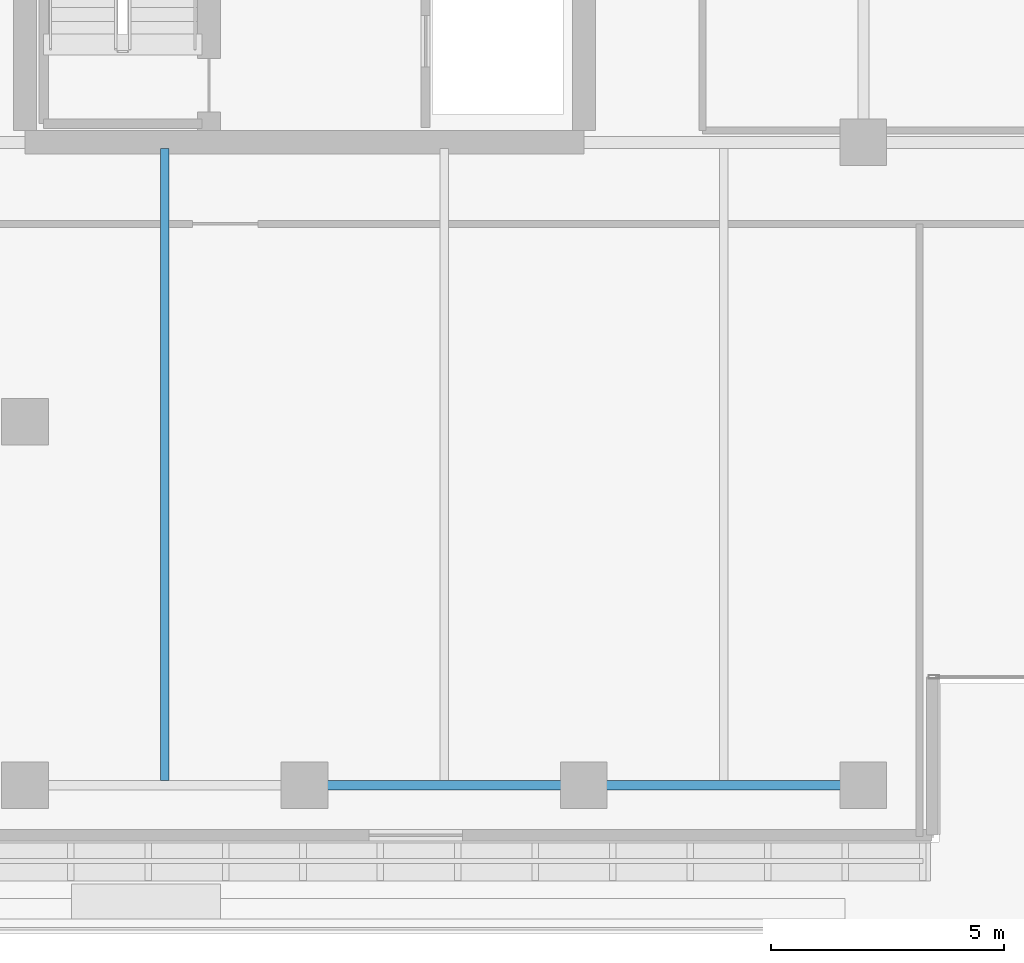
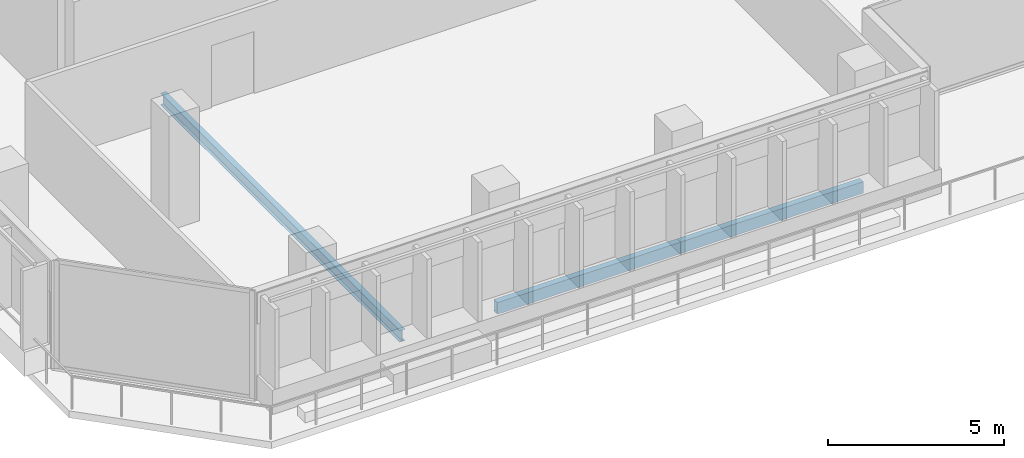
# One storey, part 3 of 38: 3 beams.
"""IFC4 building model written with IfcOpenShell, lengths in metres."""

from ifc_helpers import new_model, si_unit, direction, frame, origin, origin_2d, place, context, subcontext, project, spatial, hollow_rectangle, i_section, extrude, material, material_profile, profile_set, type_object, element, save


model = new_model("IFC4")

# Units and contexts
model_context = context("Model", 3, precision=1e-05, world=origin(), true_north=direction((0.0, 1.0)))
body_context = subcontext(model_context, "Body", "Model", "MODEL_VIEW")
ifc_project = project(units=[si_unit("LENGTHUNIT", "METRE"), si_unit("AREAUNIT", "SQUARE_METRE"), si_unit("VOLUMEUNIT", "CUBIC_METRE"), si_unit("PLANEANGLEUNIT", "RADIAN"), si_unit("MASSUNIT", "GRAM", prefix="KILO")], contexts=[model_context])

# Site, building, storey
site_placement = place(None, origin())
site = spatial("IfcSite", under=ifc_project, at=site_placement, CompositionType="ELEMENT")
building_placement = place(site_placement, origin())
building = spatial("IfcBuilding", under=site, at=building_placement, Name="Tanjung Sevakor Pilgrim Tower", CompositionType="ELEMENT")
storey_placement = place(building_placement, frame((0.0, 0.0, 78.2099609375)))
storey = spatial("IfcBuildingStorey", under=building, at=storey_placement, Name="L21", CompositionType="ELEMENT", Elevation=78.2099609375)

# Beams
ifc_material_1 = material(Name="Steel S355J2", Category="steel")
ifc_material_profile_1 = material_profile(ifc_material_1, i_section(OverallWidth=0.1787109375, OverallDepth=0.409423828125, WebThickness=0.0087890625, FlangeThickness=0.014404296875, FilletRadius=0.01025390625, at=origin_2d()))
ifc_profile_set_1 = profile_set([ifc_material_profile_1], Name="Steel S355J2")
beam_type_1 = type_object("IfcBeamType", Name="BM-B-J3-UB_406x178x67", PredefinedType="JOIST", material=ifc_profile_set_1)
beam_placement = place(storey_placement, frame((27.0, 10.89990234375, -0.484619140625), z_axis=(0.0, 1.0, 0.0), x_axis=(-1.0, 0.0, 0.0)))
element("IfcBeam", 1, at=beam_placement, inside=storey, type_object=beam_type_1, Name="L21 MAIN Joist 001", PredefinedType="JOIST", context=body_context, shape_type="SweptSolid", body=[
    extrude(i_section(OverallWidth=0.1787109375, OverallDepth=0.409423828125, WebThickness=0.0087890625, FlangeThickness=0.014404296875, FilletRadius=0.01025390625, at=origin_2d()), origin(), (0.0, 0.0, 1.0), 13.57275390625),
])
ifc_material_2 = material(Name="Steel S355J2", Category="steel")
ifc_material_profile_2 = material_profile(ifc_material_2, hollow_rectangle(XDim=0.199951171875, YDim=0.39990234375, WallThickness=0.01611328125, at=origin_2d()))
ifc_profile_set_2 = profile_set([ifc_material_profile_2], Name="Steel S355J2")
beam_type_2 = type_object("IfcBeamType", Name="BM-B-SP2-RHS_400x200x16", PredefinedType="SPANDREL", material=ifc_profile_set_2)
for number, where, z_axis, x_axis, name in (
    (2, (30.0, 10.800048828125, -0.47998046875), (1.0, 0.0, 0.0), (0.0, 1.0, 0.0), "L21 Spandrel MAIN S-03"),
    (3, (36.0, 10.800048828125, -0.47998046875), (1.0, 0.0, 0.0), (0.0, 1.0, 0.0), "L21 Spandrel MAIN S-05"),
):
    element("IfcBeam", number, at=place(storey_placement, frame(where, z_axis=z_axis, x_axis=x_axis)), inside=storey, type_object=beam_type_2, Name=name, PredefinedType="SPANDREL", context=body_context, shape_type="SweptSolid", body=[
        extrude(hollow_rectangle(XDim=0.199951171875, YDim=0.39990234375, WallThickness=0.01611328125, at=origin_2d()), origin(), (0.0, 0.0, 1.0), 6.0),
    ])

save(model, "model.ifc")
